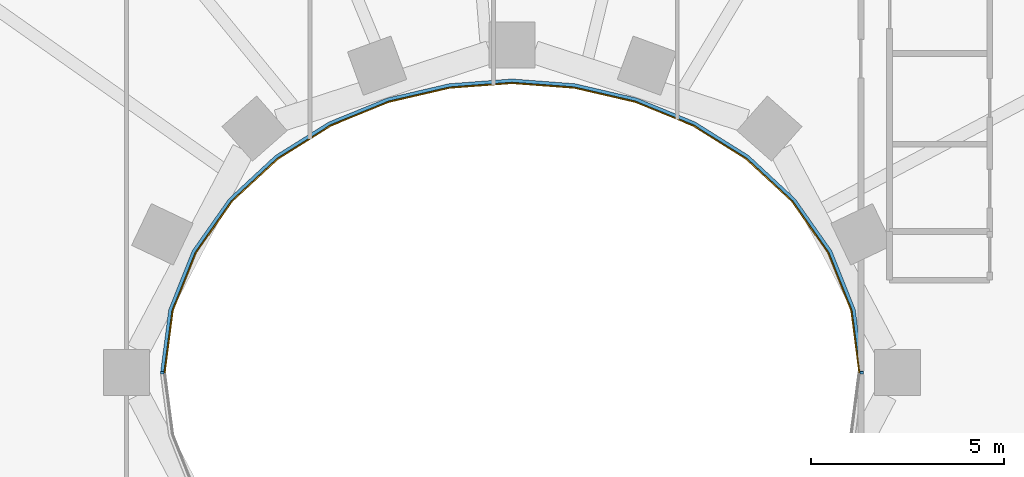
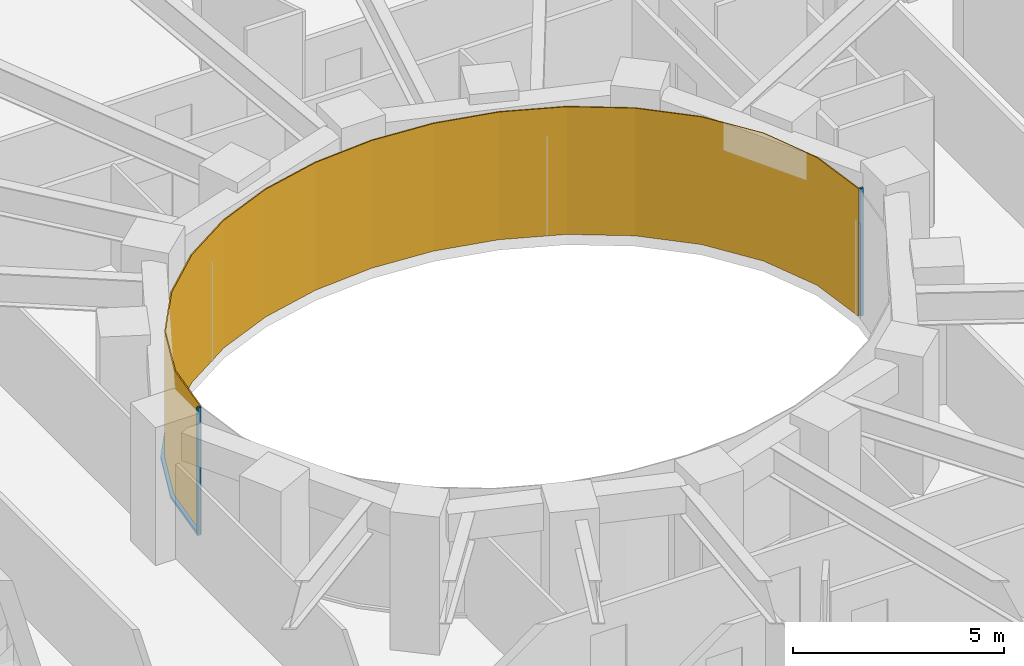
# One storey, part 12 of 16: 3 members, 1 curtain wall.
"""IFC4 building model written with IfcOpenShell, lengths in metres."""

import ifcopenshell
import ifcopenshell.guid

model = None  # the IFC model being written
_history = None  # IfcOwnerHistory: only IFC2X3 demands one
_inside = {}  # id of a spatial element -> (the spatial element, [elements in it])
_under = {}  # id of a project, library or spatial element -> (it, [spatial elements below it])
_declared = {}  # id of a project -> (the project, [libraries it declares])
_typed = {}  # id of a type object -> (the type object, [elements of that type])
_made_of = {}  # id of a material, layer set ... -> (it, [elements and type objects made of it])


def new_model(schema):
    """Start an empty IFC model of exactly this schema.

    Asked for "IFC4X3", IfcOpenShell would pick the latest addendum, in which some entities
    have other attributes; the version numbers below select the first issue.
    IFC2X3 requires an IfcOwnerHistory on every rooted entity: one is made here for all.
    """
    global model, _history
    if schema == "IFC4X3":
        model = ifcopenshell.file(schema_version=(4, 3, 0, 0))
    else:
        model = ifcopenshell.file(schema=schema)
    _inside.clear()
    _under.clear()
    _declared.clear()
    _typed.clear()
    _made_of.clear()
    _history = None
    if model.schema == "IFC2X3":
        org = make("IfcOrganization", Name="unknown")
        user = make(
            "IfcPersonAndOrganization",
            ThePerson=make("IfcPerson", FamilyName="unknown"),
            TheOrganization=org,
        )
        app = make(
            "IfcApplication",
            ApplicationDeveloper=org,
            Version="unknown",
            ApplicationFullName="unknown",
            ApplicationIdentifier="unknown",
        )
        _history = make(
            "IfcOwnerHistory",
            OwningUser=user,
            OwningApplication=app,
            ChangeAction="ADDED",
            CreationDate=0,
        )
    return model


def make(cls, **values):
    """One entity of the class cls with the attributes given. An attribute that is None is left unset."""
    return model.create_entity(
        cls, **{name: value for name, value in values.items() if value is not None}
    )


def rooted(cls, **values):
    """An entity with a GlobalId (a new one), such as an element, a storey or a relation."""
    return make(cls, GlobalId=ifcopenshell.guid.new(), OwnerHistory=_history, **values)


def si_unit(unit_type, name, prefix=None):
    """IfcSIUnit, for example si_unit("LENGTHUNIT", "METRE", prefix="MILLI")."""
    return make("IfcSIUnit", UnitType=unit_type, Prefix=prefix, Name=name)


def assignment(units):
    """IfcUnitAssignment: the units of a project."""
    return None if units is None else make("IfcUnitAssignment", Units=units)


def point(xyz):
    """IfcCartesianPoint."""
    return None if xyz is None else make("IfcCartesianPoint", Coordinates=xyz)


def direction(xyz):
    """IfcDirection."""
    return None if xyz is None else make("IfcDirection", DirectionRatios=xyz)


def frame(location, z_axis=None, x_axis=None):
    """IfcAxis2Placement3D, a coordinate frame: its origin and axes. An axis left out is left unset."""
    return make(
        "IfcAxis2Placement3D",
        Location=point(location),
        Axis=direction(z_axis),
        RefDirection=direction(x_axis),
    )


def frame_2d(location, x_axis=None):
    """IfcAxis2Placement2D, a coordinate frame in the plane: its origin and x axis."""
    return make(
        "IfcAxis2Placement2D", Location=point(location), RefDirection=direction(x_axis)
    )


def origin():
    """The frame at (0, 0, 0) with its axes left unset."""
    return frame((0.0, 0.0, 0.0))


def origin_2d():
    """The frame at (0, 0) in the plane with its x axis left unset."""
    return frame_2d((0.0, 0.0))


def place(relative_to, where):
    """IfcLocalPlacement: puts the frame where relative to a parent placement (None: the world)."""
    return make(
        "IfcLocalPlacement", PlacementRelTo=relative_to, RelativePlacement=where
    )


def context(
    kind, dimensions, precision=None, world=None, true_north=None, identifier=None
):
    """IfcGeometricRepresentationContext, for example the 3D "Model" context."""
    return make(
        "IfcGeometricRepresentationContext",
        ContextIdentifier=identifier,
        ContextType=kind,
        CoordinateSpaceDimension=dimensions,
        Precision=precision,
        WorldCoordinateSystem=world,
        TrueNorth=true_north,
    )


def subcontext(parent, identifier, kind, view, scale=None):
    """IfcGeometricRepresentationSubContext, for example "Body" below "Model"."""
    return make(
        "IfcGeometricRepresentationSubContext",
        ContextIdentifier=identifier,
        ContextType=kind,
        ParentContext=parent,
        TargetScale=scale,
        TargetView=view,
    )


def project(units=None, contexts=None):
    """IfcProject with its units and contexts."""
    return rooted(
        "IfcProject",
        Name="project",
        RepresentationContexts=contexts,
        UnitsInContext=assignment(units),
    )


def spatial(cls, under=None, at=None, **own):
    """A site, building, storey or space (cls), placed at a placement, below another one or the project."""
    s = rooted(cls, ObjectPlacement=at, **own)
    if under is not None:
        _under.setdefault(under.id(), (under, []))[1].append(s)
    return s


def polyline(points):
    """IfcPolyline through the points."""
    return make("IfcPolyline", Points=[point(p) for p in points])


def profile(cls, at=None, kind="AREA", **sizes):
    """A parametric profile (cls). Its sizes go by their IFC names, for example OverallWidth=200.0."""
    return make(cls, ProfileType=kind, Position=at, **sizes)


def rectangle(**sizes):
    """IfcRectangleProfileDef."""
    return profile("IfcRectangleProfileDef", **sizes)


def outline(outer, holes=None, kind="AREA"):
    """IfcArbitraryClosedProfileDef: a profile drawn as a closed curve; with holes, ...WithVoids."""
    if holes is None:
        return make("IfcArbitraryClosedProfileDef", ProfileType=kind, OuterCurve=outer)
    return make(
        "IfcArbitraryProfileDefWithVoids",
        ProfileType=kind,
        OuterCurve=outer,
        InnerCurves=holes,
    )


def extrude(swept, where, along, depth):
    """IfcExtrudedAreaSolid: the profile swept, set in the frame where, extruded along a direction by depth."""
    return make(
        "IfcExtrudedAreaSolid",
        SweptArea=swept,
        Position=where,
        ExtrudedDirection=direction(along),
        Depth=depth,
    )


def shape(context_of_items, identifier, shape_type, items):
    """IfcShapeRepresentation: the items that make up one representation, for example the "Body"."""
    return make(
        "IfcShapeRepresentation",
        ContextOfItems=context_of_items,
        RepresentationIdentifier=identifier,
        RepresentationType=shape_type,
        Items=items,
    )


def material(Name=None, Category=None):
    """IfcMaterial."""
    return make("IfcMaterial", Name=Name, Category=Category)


def layer(
    of_material, thickness, ventilated=None, Name=None, Category=None, Priority=None
):
    """IfcMaterialLayer: one layer of a wall or slab, of a material (None: an air gap)."""
    return make(
        "IfcMaterialLayer",
        Material=of_material,
        LayerThickness=thickness,
        IsVentilated=ventilated,
        Name=Name,
        Category=Category,
        Priority=Priority,
    )


def layer_set(layers, Name=None):
    """IfcMaterialLayerSet."""
    return make("IfcMaterialLayerSet", MaterialLayers=layers, LayerSetName=Name)


def material_profile(
    of_material, cross_section, Name=None, Category=None, Priority=None
):
    """IfcMaterialProfile: a cross section and its material."""
    return make(
        "IfcMaterialProfile",
        Name=Name,
        Material=of_material,
        Profile=cross_section,
        Priority=Priority,
        Category=Category,
    )


def profile_set(profiles, Name=None, composite=None):
    """IfcMaterialProfileSet."""
    return make(
        "IfcMaterialProfileSet",
        Name=Name,
        MaterialProfiles=profiles,
        CompositeProfile=composite,
    )


def made_of(thing, what):
    """Note that an element or type object is made of a material, layer set ...; save() writes the relation."""
    if what is not None:
        _made_of.setdefault(what.id(), (what, []))[1].append(thing)
    return thing


def type_object(cls, material=None, **own):
    """A type object (cls), such as IfcWallType, which elements share."""
    return made_of(rooted(cls, **own), material)


def element(
    cls,
    number,
    at=None,
    inside=None,
    cuts=None,
    type_object=None,
    material=None,
    context=None,
    identifier="Body",
    shape_type=None,
    held_by="IfcProductDefinitionShape",
    body=None,
    shapes=None,
    **own,
):
    """One element of the class cls, such as IfcWall. Its Tag is "e" and its number.

    at: its placement. inside: the storey or other place that contains it. cuts: it is an
    opening in that element (IfcRelVoidsElement). A single representation is given by context,
    identifier, shape_type and body (its items); several are given by shapes. held_by: the class
    of the entity that holds the representations. save() writes the other relations.
    """
    e = rooted(cls, Tag="e%d" % number, ObjectPlacement=at, **own)
    if body is not None:
        shapes = [shape(context, identifier, shape_type, body)]
    if shapes is not None:
        e.Representation = make(held_by, Representations=shapes)
    if inside is not None:
        _inside.setdefault(inside.id(), (inside, []))[1].append(e)
    if cuts is not None:
        rooted(
            "IfcRelVoidsElement", RelatingBuildingElement=cuts, RelatedOpeningElement=e
        )
    if type_object is not None:
        _typed.setdefault(type_object.id(), (type_object, []))[1].append(e)
    return made_of(e, material)


def aggregate(whole, parts):
    """IfcRelAggregates: a whole, such as a stair, and the parts it consists of."""
    return rooted("IfcRelAggregates", RelatingObject=whole, RelatedObjects=parts)


def save(model, path):
    """Write the relations noted so far, then the file.

    IfcRelAggregates (storeys below a building ...), IfcRelContainedInSpatialStructure (elements
    in a storey), IfcRelDefinesByType, IfcRelAssociatesMaterial and IfcRelDeclares: one each for
    every whole, place, type object, material and project.
    """
    for whole, parts in _under.values():
        aggregate(whole, parts)
    for where, things in _inside.values():
        rooted(
            "IfcRelContainedInSpatialStructure",
            RelatedElements=things,
            RelatingStructure=where,
        )
    for kind, things in _typed.values():
        rooted("IfcRelDefinesByType", RelatedObjects=things, RelatingType=kind)
    for what, things in _made_of.values():
        rooted("IfcRelAssociatesMaterial", RelatedObjects=things, RelatingMaterial=what)
    for by, libraries in _declared.values():
        rooted("IfcRelDeclares", RelatingContext=by, RelatedDefinitions=libraries)
    model.write(path)


model = new_model("IFC4")

# Units and contexts
model_context = context("Model", 3, precision=1e-05, world=origin(), true_north=direction((0.0, 1.0)))
body_context = subcontext(model_context, "Body", "Model", "MODEL_VIEW")
ifc_project = project(units=[si_unit("LENGTHUNIT", "METRE"), si_unit("AREAUNIT", "SQUARE_METRE"), si_unit("VOLUMEUNIT", "CUBIC_METRE"), si_unit("PLANEANGLEUNIT", "RADIAN"), si_unit("MASSUNIT", "GRAM", prefix="KILO")], contexts=[model_context])

# Member
ifc_material_1 = material(Name="Steel S355 fire-resisting frame", Category="steel")
ifc_material_profile = material_profile(ifc_material_1, rectangle(XDim=0.090087890625, YDim=0.06005859375, at=origin_2d()), Name="90x60")
ifc_profile_set = profile_set([ifc_material_profile], Name="Steel S355 fire-resisting frame")
member_type_1 = type_object("IfcMemberType", Name="ENV-MULLION-W-90", PredefinedType="MULLION", material=ifc_profile_set)
site_placement = place(None, origin())
building_placement = place(site_placement, origin())
storey_placement = place(building_placement, frame((0.0, 0.0, 100.0)))
member_1_placement = place(storey_placement, frame((9.076904296875, 0.0, 0.0), z_axis=(0.0, 0.0, 1.0), x_axis=(1.0, 0.0, 0.0)))
member_1 = element("IfcMember", 1, at=member_1_placement, type_object=member_type_1, Name="Mullion W well vertex 01", PredefinedType="MULLION", context=body_context, shape_type="SweptSolid", body=[
    extrude(rectangle(XDim=0.090087890625, YDim=0.06005859375, at=origin_2d()), origin(), (0.0, 0.0, 1.0), 3.699951171875),
])

member_2_placement = place(storey_placement, frame((-9.076904296875, 0.0, 0.0), z_axis=(0.0, 0.0, 1.0), x_axis=(-1.0, 0.0, 0.0)))
member_2 = element("IfcMember", 2, at=member_2_placement, type_object=member_type_1, Name="Mullion W well vertex 17", PredefinedType="MULLION", context=body_context, shape_type="SweptSolid", body=[
    extrude(rectangle(XDim=0.090087890625, YDim=0.06005859375, at=origin_2d()), origin(), (0.0, 0.0, 1.0), 3.699951171875),
])

ifc_material_2 = material(Name="Steel S355 fire-resisting frame", Category="steel")
member_type_2 = type_object("IfcMemberType", Name="ENV-TRANSOM-W", PredefinedType="USERDEFINED", material=ifc_material_2)
member_3_placement = place(storey_placement, origin())
member_3 = element("IfcMember", 3, at=member_3_placement, type_object=member_type_2, Name="Transom W well 01-17", ObjectType="TRANSOM", PredefinedType="USERDEFINED", context=body_context, shape_type="SweptSolid", body=[
    extrude(outline(polyline([(9.119384765625, 0.02783203125), (8.910400390625, 1.63623046875), (8.29833984375, 3.167236328125), (7.35107421875, 4.5146484375), (6.1455078125, 5.6337890625), (4.75341796875, 6.50634765625), (3.233642578125, 7.127685546875), (1.635498046875, 7.498779296875), (0.0, 7.622314453125), (-1.635498046875, 7.498779296875), (-3.233642578125, 7.127685546875), (-4.75341796875, 6.50634765625), (-6.1455078125, 5.6337890625), (-7.35107421875, 4.5146484375), (-8.29833984375, 3.167236328125), (-8.910400390625, 1.63623046875), (-9.119384765625, 0.02783203125), (-9.02880859375, 0.02783203125), (-8.822509765625, 1.61328125), (-8.21875, 3.124267578125), (-7.282958984375, 4.455078125), (-6.090576171875, 5.56201171875), (-4.712158203125, 6.426025390625), (-3.206298828125, 7.04150390625), (-1.621826171875, 7.40966796875), (0.0, 7.531982421875), (1.621826171875, 7.40966796875), (3.206298828125, 7.04150390625), (4.712158203125, 6.426025390625), (6.090576171875, 5.56201171875), (7.282958984375, 4.455078125), (8.21875, 3.124267578125), (8.822509765625, 1.61328125), (9.02880859375, 0.02783203125), (9.119384765625, 0.02783203125)])), origin(), (0.0, 0.0, 1.0), 0.080078125),
])

# Site, building, storey
site = spatial("IfcSite", under=ifc_project, at=site_placement, CompositionType="ELEMENT")
building = spatial("IfcBuilding", under=site, at=building_placement, Name="Noorbagh Ring Tower", CompositionType="ELEMENT")
storey = spatial("IfcBuildingStorey", under=building, at=storey_placement, Name="L22", CompositionType="ELEMENT", Elevation=100.0)

# Curtain wall
ifc_material_3 = material(Name="Glass fire-resisting E60 laminated", Category="glass")
ifc_layer = layer(ifc_material_3, 0.031982421875)
ifc_layer_set = layer_set([ifc_layer], Name="Glass fire-resisting E60 laminated")
curtain_wall_type = type_object("IfcCurtainWallType", Name="ENV-CW-W", PredefinedType="NOTDEFINED", material=ifc_layer_set)
curtain_wall_placement = place(storey_placement, origin())
curtain_wall = element("IfcCurtainWall", 4, at=curtain_wall_placement, inside=storey, type_object=curtain_wall_type, Name="Curtain wall W W01", PredefinedType="NOTDEFINED", context=body_context, shape_type="SweptSolid", body=[
    extrude(outline(polyline([(9.0322265625, 0.0), (8.822509765625, 1.61328125), (8.21875, 3.124267578125), (7.282958984375, 4.455078125), (6.090576171875, 5.56201171875), (4.712158203125, 6.426025390625), (3.206298828125, 7.04150390625), (1.621826171875, 7.40966796875), (0.0, 7.531982421875), (-1.621826171875, 7.40966796875), (-3.206298828125, 7.04150390625), (-4.712158203125, 6.426025390625), (-6.090576171875, 5.56201171875), (-7.282958984375, 4.455078125), (-8.21875, 3.124267578125), (-8.822509765625, 1.61328125), (-9.0322265625, 0.0), (-9.0, 0.0), (-8.79150390625, 1.605224609375), (-8.1904296875, 3.10888671875), (-7.2587890625, 4.43408203125), (-6.071044921875, 5.53662109375), (-4.697509765625, 6.3974609375), (-3.196533203125, 7.010986328125), (-1.6171875, 7.3779296875), (0.0, 7.5), (1.6171875, 7.3779296875), (3.196533203125, 7.010986328125), (4.697509765625, 6.3974609375), (6.071044921875, 5.53662109375), (7.2587890625, 4.43408203125), (8.1904296875, 3.10888671875), (8.79150390625, 1.605224609375), (9.0, 0.0), (9.0322265625, 0.0)])), origin(), (0.0, 0.0, 1.0), 3.699951171875),
])

aggregate(curtain_wall, [member_1, member_2, member_3])

save(model, "model.ifc")
